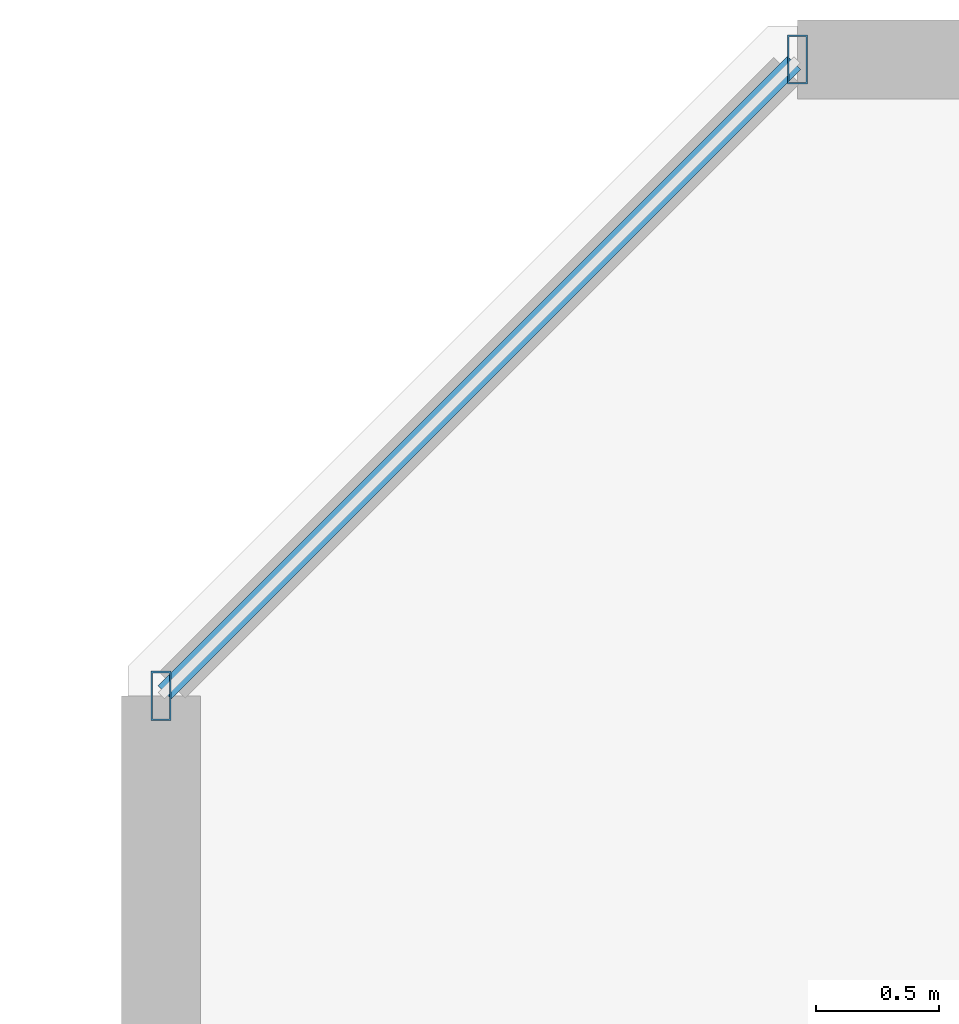
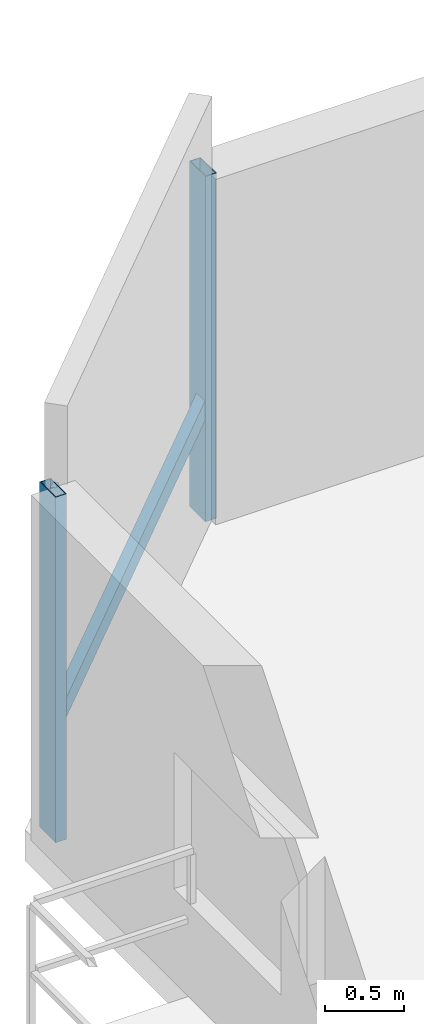
# One storey, part 7 of 34: 3 members, 1 element without a shape of its own.
"""IFC4 building model written with IfcOpenShell, lengths in metres."""

from ifc_helpers import new_model, si_unit, direction, frame, origin, origin_2d, place, context, subcontext, project, spatial, hollow_rectangle, extrude, material, material_profile, profile_set, type_object, element, aggregate, save


model = new_model("IFC4")

# Units and contexts
model_context = context("Model", 3, precision=1e-05, world=origin(), true_north=direction((0.0, 1.0)))
body_context = subcontext(model_context, "Body", "Model", "MODEL_VIEW")
ifc_project = project(units=[si_unit("LENGTHUNIT", "METRE"), si_unit("AREAUNIT", "SQUARE_METRE"), si_unit("VOLUMEUNIT", "CUBIC_METRE"), si_unit("PLANEANGLEUNIT", "RADIAN"), si_unit("MASSUNIT", "GRAM", prefix="KILO")], contexts=[model_context])

# Site, building, storey
site_placement = place(None, origin())
site = spatial("IfcSite", under=ifc_project, at=site_placement, CompositionType="ELEMENT")
building_placement = place(site_placement, origin())
building = spatial("IfcBuilding", under=site, at=building_placement, Name="Thornwick Lancets Civic Towers", CompositionType="ELEMENT")
storey_placement = place(building_placement, frame((0.0, 0.0, 137.699951171875)))
storey = spatial("IfcBuildingStorey", under=building, at=storey_placement, Name="L36", CompositionType="ELEMENT", Elevation=137.699951171875)

# Curtain wall, members
ifc_material_1 = material(Name="Mid-zone chamfered-corner unitised glass curtain wall", Category="glass")
curtain_wall_type = type_object("IfcCurtainWallType", Name="CW_SYS_04", PredefinedType="NOTDEFINED", material=ifc_material_1)
curtain_wall_placement = place(storey_placement, origin())
curtain_wall = element("IfcCurtainWall", 1, at=curtain_wall_placement, inside=storey, type_object=curtain_wall_type, Name="L36 Curtain Wall CW-L36-A-E5", PredefinedType="NOTDEFINED")
ifc_material_2 = material(Name="Thermally broken bronze aluminium S355", Category="steel")
ifc_material_profile_1 = material_profile(ifc_material_2, hollow_rectangle(XDim=0.080078125, YDim=0.199951171875, WallThickness=0.006103515625, at=origin_2d()), Name="RHS 200x80x6")
ifc_profile_set_1 = profile_set([ifc_material_profile_1], Name="Thermally broken bronze aluminium S355")
member_type_1 = type_object("IfcMemberType", Name="CW_MUL_200", PredefinedType="MULLION", material=ifc_profile_set_1)
member_1_placement = place(storey_placement, frame((4.318603515625, 44.7646484375, 0.0), z_axis=(0.0, 0.0, 1.0), x_axis=(1.0, 0.0, 0.0)))
member_1 = element("IfcMember", 2, at=member_1_placement, type_object=member_type_1, Name="CW-L36-A-E5 Mullion 0", PredefinedType="MULLION", context=body_context, shape_type="SweptSolid", body=[
    extrude(hollow_rectangle(XDim=0.080078125, YDim=0.199951171875, WallThickness=0.006103515625, at=origin_2d()), origin(), (0.0, 0.0, 1.0), 2.66015625),
])
member_2_placement = place(storey_placement, frame((1.7353515625, 42.181396484375, 0.0), z_axis=(0.0, 0.0, 1.0), x_axis=(1.0, 0.0, 0.0)))
member_2 = element("IfcMember", 3, at=member_2_placement, type_object=member_type_1, Name="CW-L36-A-E5 Mullion 1", PredefinedType="MULLION", context=body_context, shape_type="SweptSolid", body=[
    extrude(hollow_rectangle(XDim=0.080078125, YDim=0.199951171875, WallThickness=0.006103515625, at=origin_2d()), origin(), (0.0, 0.0, 1.0), 2.66015625),
])
ifc_material_profile_2 = material_profile(ifc_material_2, hollow_rectangle(XDim=0.074951171875, YDim=0.14990234375, WallThickness=0.0048828125, at=origin_2d()), Name="RHS 150x75x5")
ifc_profile_set_2 = profile_set([ifc_material_profile_2], Name="Thermally broken bronze aluminium S355")
member_type_2 = type_object("IfcMemberType", Name="CW_TRN_150", PredefinedType="USERDEFINED", material=ifc_profile_set_2)
member_3_placement = place(storey_placement, frame((4.304443359375, 44.75048828125, 0.85009765625), z_axis=(-0.707106781187, -0.707106781187, 0.0), x_axis=(0.707106781187, -0.707106781187, 0.0)))
member_3 = element("IfcMember", 4, at=member_3_placement, type_object=member_type_2, Name="CW-L36-A-E5 Transom 0", ObjectType="TRANSOM", PredefinedType="USERDEFINED", context=body_context, shape_type="SweptSolid", body=[
    extrude(hollow_rectangle(XDim=0.074951171875, YDim=0.14990234375, WallThickness=0.0048828125, at=origin_2d()), origin(), (0.0, 0.0, 1.0), 3.61328125),
])
aggregate(curtain_wall, [member_1, member_2, member_3])

save(model, "model.ifc")
